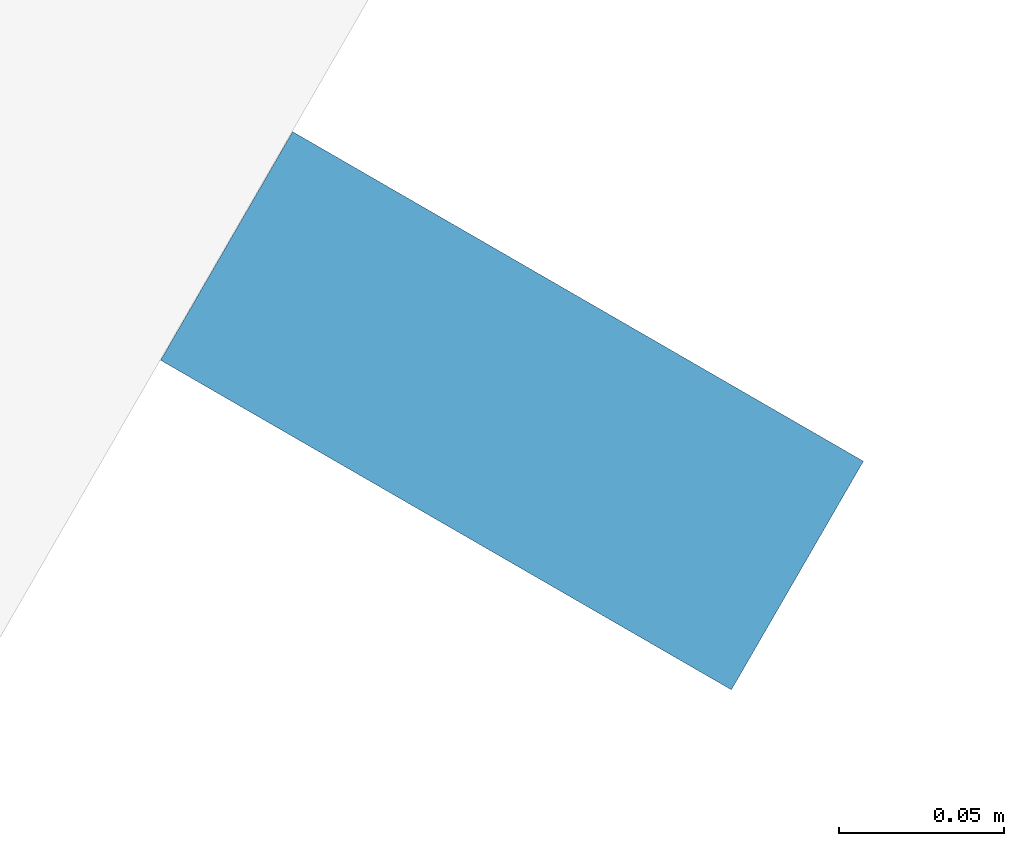
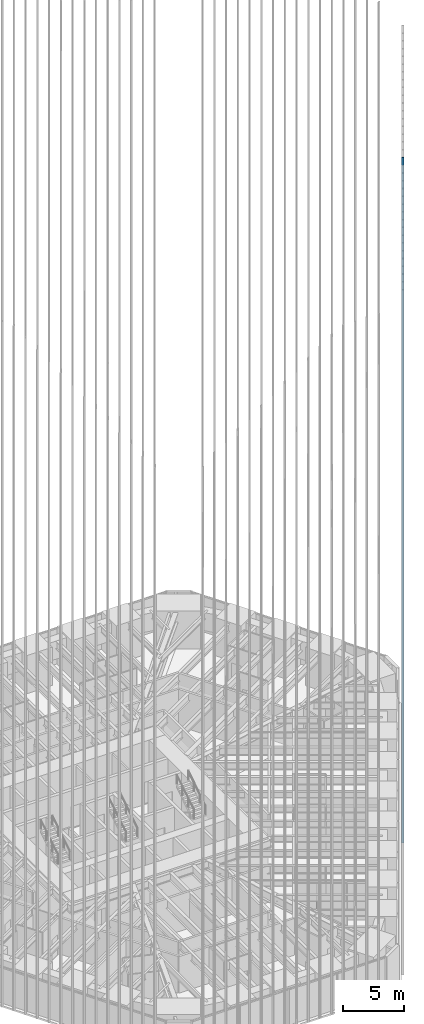
# One storey, part 108 of 256: 1 member, 1 element without a shape of its own.
"""IFC4 building model written with IfcOpenShell, lengths in metres."""

from ifc_helpers import new_model, si_unit, direction, frame, origin, origin_2d, place, context, subcontext, project, spatial, rectangle, extrude, material, material_profile, profile_set, type_object, element, aggregate, save


model = new_model("IFC4")

# Units and contexts
model_context = context("Model", 3, precision=1e-05, world=origin(), true_north=direction((0.0, 1.0)))
body_context = subcontext(model_context, "Body", "Model", "MODEL_VIEW")
ifc_project = project(units=[si_unit("LENGTHUNIT", "METRE"), si_unit("AREAUNIT", "SQUARE_METRE"), si_unit("VOLUMEUNIT", "CUBIC_METRE"), si_unit("PLANEANGLEUNIT", "RADIAN"), si_unit("MASSUNIT", "GRAM", prefix="KILO")], contexts=[model_context])

# Site, building, storey
site_placement = place(None, origin())
site = spatial("IfcSite", under=ifc_project, at=site_placement, CompositionType="ELEMENT")
building_placement = place(site_placement, origin())
building = spatial("IfcBuilding", under=site, at=building_placement, Name="Sandreach Pilgrim Tower", CompositionType="ELEMENT")
storey_placement = place(building_placement, frame((0.0, 0.0, 23.0)))
storey = spatial("IfcBuildingStorey", under=building, at=storey_placement, Name="L04", CompositionType="ELEMENT", Elevation=23.0)

# Curtain wall, member
ifc_material_1 = material(Name="Aluminium framed curtain wall", Category="aluminium")
curtain_wall_type = type_object("IfcCurtainWallType", Name="Hostel tower curtain wall", PredefinedType="NOTDEFINED", material=ifc_material_1)
curtain_wall_placement = place(storey_placement, origin())
curtain_wall = element("IfcCurtainWall", 1, at=curtain_wall_placement, inside=storey, type_object=curtain_wall_type, Name="CW-1 L04 SE", PredefinedType="NOTDEFINED")
ifc_material_2 = material(Name="Extruded terracotta on aluminium core", Category="masonry")
ifc_material_profile = material_profile(ifc_material_2, rectangle(XDim=0.080078125, YDim=0.199951171875, at=origin_2d()), Name="TBE 80X200")
ifc_profile_set = profile_set([ifc_material_profile], Name="Extruded terracotta on aluminium core")
member_type = type_object("IfcMemberType", Name="Terracotta baguette east", PredefinedType="USERDEFINED", material=ifc_profile_set)
member_placement = place(storey_placement, frame((21.086669921875, -12.17431640625, 0.0), z_axis=(0.0, 0.0, 1.0), x_axis=(-0.5, -0.866025403784, 0.0)))
member = element("IfcMember", 2, at=member_placement, type_object=member_type, Name="Baguette Z1 SE18", ObjectType="BAGUETTE", PredefinedType="USERDEFINED", context=body_context, shape_type="SweptSolid", body=[
    extrude(rectangle(XDim=0.080078125, YDim=0.199951171875, at=origin_2d()), origin(), (0.0, 0.0, 1.0), 68.239990234375),
])
aggregate(curtain_wall, [member])

save(model, "model.ifc")
